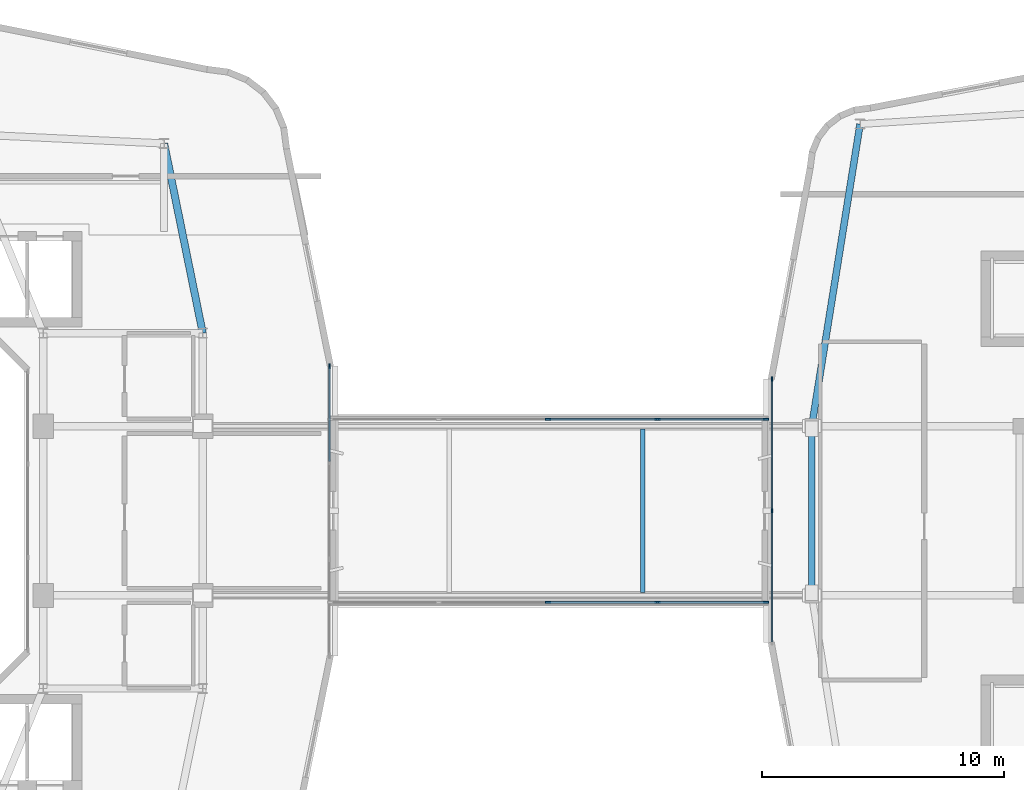
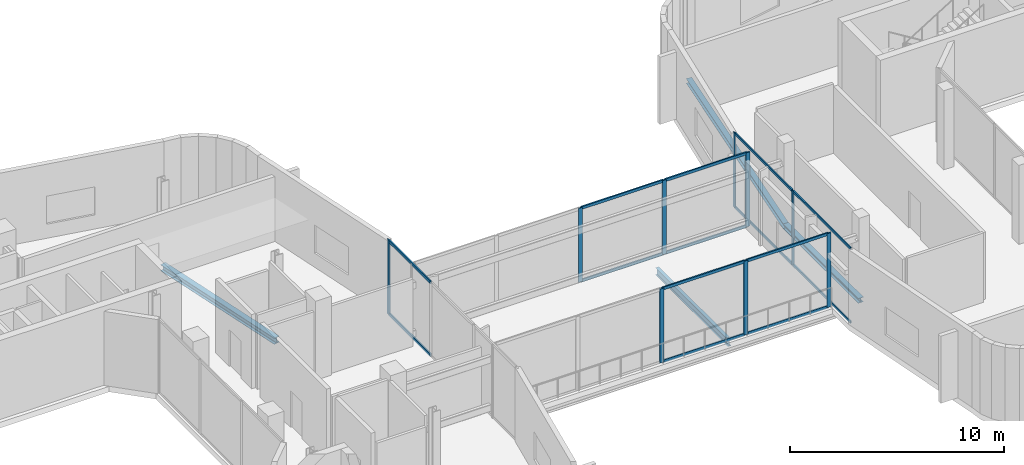
# One storey, part 7 of 24: 23 members, 4 beams, 4 elements without a shape of their own.
"""IFC4 building model written with IfcOpenShell, lengths in metres."""

from ifc_helpers import new_model, si_unit, derived_unit, direction, frame, origin, origin_2d, place, context, subcontext, project, spatial, rectangle, i_section, extrude, material, layer, layer_set, material_profile, profile_set, type_object, element, aggregate, save


model = new_model("IFC4")

# Units and contexts
model_context = context("Model", 3, precision=1e-05, world=origin(), true_north=direction((0.0, 1.0)))
body_context = subcontext(model_context, "Body", "Model", "MODEL_VIEW")
ifc_project = project(units=[si_unit("LENGTHUNIT", "METRE"), si_unit("AREAUNIT", "SQUARE_METRE"), si_unit("VOLUMEUNIT", "CUBIC_METRE"), si_unit("PLANEANGLEUNIT", "RADIAN"), si_unit("MASSUNIT", "GRAM", prefix="KILO"), derived_unit("THERMALTRANSMITTANCEUNIT", [(si_unit("POWERUNIT", "WATT"), 1), (si_unit("LENGTHUNIT", "METRE"), -2), (si_unit("THERMODYNAMICTEMPERATUREUNIT", "KELVIN"), -1)])], contexts=[model_context])

# Site, building, storey
site_placement = place(None, origin())
site = spatial("IfcSite", under=ifc_project, at=site_placement, CompositionType="ELEMENT")
building_placement = place(site_placement, origin())
building = spatial("IfcBuilding", under=site, at=building_placement, Name="Kivonza Crest Hotel", CompositionType="ELEMENT")
storey_placement = place(building_placement, frame((0.0, 0.0, 119.5)))
storey = spatial("IfcBuildingStorey", under=building, at=storey_placement, Name="L32", CompositionType="ELEMENT", Elevation=119.5)

# Beams
ifc_material_1 = material(Name="Steel S355", Category="steel")
ifc_material_profile_1 = material_profile(ifc_material_1, i_section(OverallWidth=0.280029296875, OverallDepth=0.280029296875, WebThickness=0.010498046875, FlangeThickness=0.01806640625, FilletRadius=0.02392578125, at=origin_2d()), Name="HEB 280")
ifc_profile_set_1 = profile_set([ifc_material_profile_1], Name="Steel S355")
beam_type_1 = type_object("IfcBeamType", Name="BM-HEB280", PredefinedType="SPANDREL", material=ifc_profile_set_1)
beam_1_placement = place(storey_placement, frame((63.0, 41.0, -0.4599609375), z_axis=(-0.157990501107, -0.987440631917, 0.0), x_axis=(0.987440631917, -0.157990501107, 0.0)))
element("IfcBeam", 1, at=beam_1_placement, inside=storey, type_object=beam_type_1, Name="Companion Tower T2 L32 perimeter spandrel NW-W2", PredefinedType="SPANDREL", context=body_context, shape_type="SweptSolid", body=[
    extrude(i_section(OverallWidth=0.280029296875, OverallDepth=0.280029296875, WebThickness=0.010498046875, FlangeThickness=0.01806640625, FilletRadius=0.02392578125, at=origin_2d()), origin(), (0.0, 0.0, 1.0), 12.658935546875),
])
beam_2_placement = place(storey_placement, frame((61.0, 28.5, -0.4599609375), z_axis=(0.0, -1.0, 0.0), x_axis=(1.0, 0.0, 0.0)))
element("IfcBeam", 2, at=beam_2_placement, inside=storey, type_object=beam_type_1, Name="Companion Tower T2 L32 perimeter spandrel W2-W1", PredefinedType="SPANDREL", context=body_context, shape_type="SweptSolid", body=[
    extrude(i_section(OverallWidth=0.280029296875, OverallDepth=0.280029296875, WebThickness=0.010498046875, FlangeThickness=0.01806640625, FilletRadius=0.02392578125, at=origin_2d()), origin(), (0.0, 0.0, 1.0), 7.0),
])
ifc_material_profile_2 = material_profile(ifc_material_1, i_section(OverallWidth=0.300048828125, OverallDepth=0.360107421875, WebThickness=0.012451171875, FlangeThickness=0.0224609375, FilletRadius=0.027099609375, at=origin_2d()), Name="HEB 360")
ifc_profile_set_2 = profile_set([ifc_material_profile_2], Name="Steel S355")
beam_type_2 = type_object("IfcBeamType", Name="BM-HEB360", PredefinedType="SPANDREL", material=ifc_profile_set_2)
beam_3_placement = place(storey_placement, frame((35.800048828125, 32.35009765625, -0.5), z_axis=(-0.199730733965, 0.979850822273, 0.0), x_axis=(-0.979850822273, -0.199730733965, 0.0)))
element("IfcBeam", 3, at=beam_3_placement, inside=storey, type_object=beam_type_2, Name="Tower T1 L32 perimeter spandrel PNE-NE", PredefinedType="SPANDREL", context=body_context, shape_type="SweptSolid", body=[
    extrude(i_section(OverallWidth=0.300048828125, OverallDepth=0.360107421875, WebThickness=0.012451171875, FlangeThickness=0.0224609375, FilletRadius=0.027099609375, at=origin_2d()), origin(), (0.0, 0.0, 1.0), 8.01123046875),
])
ifc_material_profile_3 = material_profile(ifc_material_1, i_section(OverallWidth=0.179931640625, OverallDepth=0.39990234375, WebThickness=0.008544921875, FlangeThickness=0.013427734375, FilletRadius=0.02099609375, at=origin_2d()), Name="IPE 400")
ifc_profile_set_3 = profile_set([ifc_material_profile_3], Name="Steel S355")
beam_type_3 = type_object("IfcBeamType", Name="BM-IPE400", PredefinedType="JOIST", material=ifc_profile_set_3)
beam_4_placement = place(storey_placement, frame((54.0, 21.6201171875, -0.5), z_axis=(0.0, 1.0, 0.0), x_axis=(-1.0, 0.0, 0.0)))
element("IfcBeam", 4, at=beam_4_placement, inside=storey, type_object=beam_type_3, Name="Skybridge BR1 cross floor beam 2", PredefinedType="JOIST", context=body_context, shape_type="SweptSolid", body=[
    extrude(i_section(OverallWidth=0.179931640625, OverallDepth=0.39990234375, WebThickness=0.008544921875, FlangeThickness=0.013427734375, FilletRadius=0.02099609375, at=origin_2d()), origin(), (0.0, 0.0, 1.0), 6.759765625),
])

# Curtain wall, members
ifc_material_2 = material(Name="Anodised bronze aluminium and low-E double glazing", Category="aluminium")
ifc_layer_1 = layer(ifc_material_2, 0.179931640625)
ifc_layer_set_1 = layer_set([ifc_layer_1], Name="Anodised bronze aluminium and low-E double glazing")
curtain_wall_type_1 = type_object("IfcCurtainWallType", Name="CW-SYS-4", PredefinedType="NOTDEFINED", material=ifc_layer_set_1)
curtain_wall_1_placement = place(storey_placement, origin())
curtain_wall_1 = element("IfcCurtainWall", 5, at=curtain_wall_1_placement, inside=storey, type_object=curtain_wall_type_1, Name="L32 unitised curtain wall CW-T2-L32-35", PredefinedType="NOTDEFINED")
ifc_material_3 = material(Name="Anodised bronze aluminium", Category="aluminium")
ifc_material_profile_4 = material_profile(ifc_material_3, rectangle(XDim=0.06494140625, YDim=0.179931640625, at=origin_2d()), Name="CW-M 65x180")
ifc_profile_set_4 = profile_set([ifc_material_profile_4], Name="Anodised bronze aluminium")
member_type_1 = type_object("IfcMemberType", Name="CW-MUL-65x180", PredefinedType="MULLION", material=ifc_profile_set_4)
member_1_placement = place(storey_placement, frame((59.360107421875, 30.447509765625, 0.0), z_axis=(0.0, 0.0, 1.0), x_axis=(1.0, 0.0, 0.0)))
member_1 = element("IfcMember", 6, at=member_1_placement, type_object=member_type_1, Name="CW-4 mullion 1", PredefinedType="MULLION", context=body_context, shape_type="SweptSolid", body=[
    extrude(rectangle(XDim=0.06494140625, YDim=0.179931640625, at=origin_2d()), origin(), (0.0, 0.0, 1.0), 4.25),
])
member_2_placement = place(storey_placement, frame((59.360107421875, 25.0, 0.0), z_axis=(0.0, 0.0, 1.0), x_axis=(1.0, 0.0, 0.0)))
member_2 = element("IfcMember", 7, at=member_2_placement, type_object=member_type_1, Name="CW-4 mullion 2", PredefinedType="MULLION", context=body_context, shape_type="SweptSolid", body=[
    extrude(rectangle(XDim=0.06494140625, YDim=0.179931640625, at=origin_2d()), origin(), (0.0, 0.0, 1.0), 4.25),
])

# Curtain wall, member
ifc_layer_2 = layer(ifc_material_2, 0.179931640625)
ifc_layer_set_2 = layer_set([ifc_layer_2], Name="Anodised bronze aluminium and low-E double glazing")
curtain_wall_type_2 = type_object("IfcCurtainWallType", Name="CW-SYS-3", PredefinedType="NOTDEFINED", material=ifc_layer_set_2)
curtain_wall_2_placement = place(storey_placement, origin())
curtain_wall_2 = element("IfcCurtainWall", 8, at=curtain_wall_2_placement, inside=storey, type_object=curtain_wall_type_2, Name="L32 unitised curtain wall CW-T1-L32-17", PredefinedType="NOTDEFINED")
ifc_material_profile_5 = material_profile(ifc_material_3, rectangle(XDim=0.074951171875, YDim=0.219970703125, at=origin_2d()), Name="CW-M 75x220")
ifc_profile_set_5 = profile_set([ifc_material_profile_5], Name="Anodised bronze aluminium")
member_type_2 = type_object("IfcMemberType", Name="CW-MUL-75x220", PredefinedType="MULLION", material=ifc_profile_set_5)
member_3_placement = place(storey_placement, frame((41.0400390625, 30.982421875, 0.0), z_axis=(0.0, 0.0, 1.0), x_axis=(-1.0, 0.0, 0.0)))
member_3 = element("IfcMember", 9, at=member_3_placement, type_object=member_type_2, Name="CW-3 mullion 4", PredefinedType="MULLION", context=body_context, shape_type="SweptSolid", body=[
    extrude(rectangle(XDim=0.074951171875, YDim=0.219970703125, at=origin_2d()), origin(), (0.0, 0.0, 1.0), 4.219970703125),
])

# Curtain wall, members
ifc_layer_3 = layer(ifc_material_2, 0.199951171875)
ifc_layer_set_3 = layer_set([ifc_layer_3], Name="Anodised bronze aluminium and low-E double glazing")
curtain_wall_type_3 = type_object("IfcCurtainWallType", Name="CW-SYS-6", PredefinedType="NOTDEFINED", material=ifc_layer_set_3)
curtain_wall_3_placement = place(storey_placement, origin())
curtain_wall_3 = element("IfcCurtainWall", 10, at=curtain_wall_3_placement, inside=storey, type_object=curtain_wall_type_3, Name="L32 unitised curtain wall CW-BR1-L32-S", PredefinedType="NOTDEFINED")
member_4_placement = place(storey_placement, frame((50.090087890625, 21.2099609375, 0.0), z_axis=(0.0, 0.0, 1.0), x_axis=(0.0, 1.0, 0.0)))
member_4 = element("IfcMember", 11, at=member_4_placement, type_object=member_type_2, Name="CW-6 mullion 3", PredefinedType="MULLION", context=body_context, shape_type="SweptSolid", body=[
    extrude(rectangle(XDim=0.074951171875, YDim=0.219970703125, at=origin_2d()), origin(), (0.0, 0.0, 1.0), 4.219970703125),
])
member_5_placement = place(storey_placement, frame((54.614990234375, 21.2099609375, 0.0), z_axis=(0.0, 0.0, 1.0), x_axis=(0.0, 1.0, 0.0)))
member_5 = element("IfcMember", 12, at=member_5_placement, type_object=member_type_2, Name="CW-6 mullion 4", PredefinedType="MULLION", context=body_context, shape_type="SweptSolid", body=[
    extrude(rectangle(XDim=0.074951171875, YDim=0.219970703125, at=origin_2d()), origin(), (0.0, 0.0, 1.0), 4.219970703125),
])
member_6_placement = place(storey_placement, frame((59.1025390625, 21.2099609375, 0.0), z_axis=(0.0, 0.0, 1.0), x_axis=(0.0, 1.0, 0.0)))
member_6 = element("IfcMember", 13, at=member_6_placement, type_object=member_type_2, Name="CW-6 mullion 5", PredefinedType="MULLION", context=body_context, shape_type="SweptSolid", body=[
    extrude(rectangle(XDim=0.074951171875, YDim=0.219970703125, at=origin_2d()), origin(), (0.0, 0.0, 1.0), 4.219970703125),
])

curtain_wall_4_placement = place(storey_placement, origin())
curtain_wall_4 = element("IfcCurtainWall", 14, at=curtain_wall_4_placement, inside=storey, type_object=curtain_wall_type_3, Name="L32 unitised curtain wall CW-BR1-L32-N", PredefinedType="NOTDEFINED")
member_7_placement = place(storey_placement, frame((59.1025390625, 28.7900390625, 0.0), z_axis=(0.0, 0.0, 1.0), x_axis=(0.0, -1.0, 0.0)))
member_7 = element("IfcMember", 15, at=member_7_placement, type_object=member_type_2, Name="CW-6 mullion 1", PredefinedType="MULLION", context=body_context, shape_type="SweptSolid", body=[
    extrude(rectangle(XDim=0.074951171875, YDim=0.219970703125, at=origin_2d()), origin(), (0.0, 0.0, 1.0), 4.219970703125),
])
member_8_placement = place(storey_placement, frame((54.614990234375, 28.7900390625, 0.0), z_axis=(0.0, 0.0, 1.0), x_axis=(0.0, -1.0, 0.0)))
member_8 = element("IfcMember", 16, at=member_8_placement, type_object=member_type_2, Name="CW-6 mullion 2", PredefinedType="MULLION", context=body_context, shape_type="SweptSolid", body=[
    extrude(rectangle(XDim=0.074951171875, YDim=0.219970703125, at=origin_2d()), origin(), (0.0, 0.0, 1.0), 4.219970703125),
])
member_9_placement = place(storey_placement, frame((50.090087890625, 28.7900390625, 0.0), z_axis=(0.0, 0.0, 1.0), x_axis=(0.0, -1.0, 0.0)))
member_9 = element("IfcMember", 17, at=member_9_placement, type_object=member_type_2, Name="CW-6 mullion 3", PredefinedType="MULLION", context=body_context, shape_type="SweptSolid", body=[
    extrude(rectangle(XDim=0.074951171875, YDim=0.219970703125, at=origin_2d()), origin(), (0.0, 0.0, 1.0), 4.219970703125),
])

# Member
ifc_material_profile_6 = material_profile(ifc_material_3, rectangle(XDim=0.06494140625, YDim=0.139892578125, at=origin_2d()), Name="CW-T 65x140")
ifc_profile_set_6 = profile_set([ifc_material_profile_6], Name="Anodised bronze aluminium")
member_type_3 = type_object("IfcMemberType", Name="CW-TRN-65x140", PredefinedType="USERDEFINED", material=ifc_profile_set_6)
member_10_placement = place(storey_placement, frame((59.360107421875, 30.4150390625, 0.032470703125), z_axis=(0.0, -1.0, 0.0), x_axis=(1.0, 0.0, 0.0)))
member_10 = element("IfcMember", 18, at=member_10_placement, type_object=member_type_3, Name="CW-4 transom 1.1", ObjectType="TRANSOM", PredefinedType="USERDEFINED", context=body_context, shape_type="SweptSolid", body=[
    extrude(rectangle(XDim=0.06494140625, YDim=0.139892578125, at=origin_2d()), origin(), (0.0, 0.0, 1.0), 5.382568359375),
])

member_11_placement = place(storey_placement, frame((59.360107421875, 30.4150390625, 4.217529296875), z_axis=(0.0, -1.0, 0.0), x_axis=(1.0, 0.0, 0.0)))
member_11 = element("IfcMember", 19, at=member_11_placement, type_object=member_type_3, Name="CW-4 transom 1.2", ObjectType="TRANSOM", PredefinedType="USERDEFINED", context=body_context, shape_type="SweptSolid", body=[
    extrude(rectangle(XDim=0.06494140625, YDim=0.139892578125, at=origin_2d()), origin(), (0.0, 0.0, 1.0), 5.382568359375),
])

member_12_placement = place(storey_placement, frame((59.360107421875, 24.967529296875, 0.032470703125), z_axis=(0.0, -1.0, 0.0), x_axis=(1.0, 0.0, 0.0)))
member_12 = element("IfcMember", 20, at=member_12_placement, type_object=member_type_3, Name="CW-4 transom 2.1", ObjectType="TRANSOM", PredefinedType="USERDEFINED", context=body_context, shape_type="SweptSolid", body=[
    extrude(rectangle(XDim=0.06494140625, YDim=0.139892578125, at=origin_2d()), origin(), (0.0, 0.0, 1.0), 5.382568359375),
])

member_13_placement = place(storey_placement, frame((59.360107421875, 24.967529296875, 4.217529296875), z_axis=(0.0, -1.0, 0.0), x_axis=(1.0, 0.0, 0.0)))
member_13 = element("IfcMember", 21, at=member_13_placement, type_object=member_type_3, Name="CW-4 transom 2.2", ObjectType="TRANSOM", PredefinedType="USERDEFINED", context=body_context, shape_type="SweptSolid", body=[
    extrude(rectangle(XDim=0.06494140625, YDim=0.139892578125, at=origin_2d()), origin(), (0.0, 0.0, 1.0), 5.382568359375),
])

aggregate(curtain_wall_1, [member_1, member_2, member_10, member_11, member_12, member_13])

ifc_material_profile_7 = material_profile(ifc_material_3, rectangle(XDim=0.074951171875, YDim=0.159912109375, at=origin_2d()), Name="CW-T 75x160")
ifc_profile_set_7 = profile_set([ifc_material_profile_7], Name="Anodised bronze aluminium")
member_type_4 = type_object("IfcMemberType", Name="CW-TRN-75x160", PredefinedType="USERDEFINED", material=ifc_profile_set_7)
member_14_placement = place(storey_placement, frame((41.0400390625, 27.044189453125, 0.03759765625), z_axis=(0.0, 1.0, 0.0), x_axis=(-1.0, 0.0, 0.0)))
member_14 = element("IfcMember", 22, at=member_14_placement, type_object=member_type_4, Name="CW-3 transom 3.1", ObjectType="TRANSOM", PredefinedType="USERDEFINED", context=body_context, shape_type="SweptSolid", body=[
    extrude(rectangle(XDim=0.074951171875, YDim=0.159912109375, at=origin_2d()), origin(), (0.0, 0.0, 1.0), 3.90087890625),
])

member_15_placement = place(storey_placement, frame((41.0400390625, 27.044189453125, 4.1826171875), z_axis=(0.0, 1.0, 0.0), x_axis=(-1.0, 0.0, 0.0)))
member_15 = element("IfcMember", 23, at=member_15_placement, type_object=member_type_4, Name="CW-3 transom 3.2", ObjectType="TRANSOM", PredefinedType="USERDEFINED", context=body_context, shape_type="SweptSolid", body=[
    extrude(rectangle(XDim=0.074951171875, YDim=0.159912109375, at=origin_2d()), origin(), (0.0, 0.0, 1.0), 3.90087890625),
])

aggregate(curtain_wall_2, [member_3, member_14, member_15])

member_16_placement = place(storey_placement, frame((50.12744140625, 21.2099609375, 0.03759765625), z_axis=(1.0, 0.0, 0.0), x_axis=(0.0, 1.0, 0.0)))
member_16 = element("IfcMember", 24, at=member_16_placement, type_object=member_type_4, Name="CW-6 transom 3.1", ObjectType="TRANSOM", PredefinedType="USERDEFINED", context=body_context, shape_type="SweptSolid", body=[
    extrude(rectangle(XDim=0.074951171875, YDim=0.159912109375, at=origin_2d()), origin(), (0.0, 0.0, 1.0), 4.449951171875),
])

member_17_placement = place(storey_placement, frame((50.12744140625, 21.2099609375, 4.1826171875), z_axis=(1.0, 0.0, 0.0), x_axis=(0.0, 1.0, 0.0)))
member_17 = element("IfcMember", 25, at=member_17_placement, type_object=member_type_4, Name="CW-6 transom 3.2", ObjectType="TRANSOM", PredefinedType="USERDEFINED", context=body_context, shape_type="SweptSolid", body=[
    extrude(rectangle(XDim=0.074951171875, YDim=0.159912109375, at=origin_2d()), origin(), (0.0, 0.0, 1.0), 4.449951171875),
])

member_18_placement = place(storey_placement, frame((54.652587890625, 21.2099609375, 0.03759765625), z_axis=(1.0, 0.0, 0.0), x_axis=(0.0, 1.0, 0.0)))
member_18 = element("IfcMember", 26, at=member_18_placement, type_object=member_type_4, Name="CW-6 transom 4.1", ObjectType="TRANSOM", PredefinedType="USERDEFINED", context=body_context, shape_type="SweptSolid", body=[
    extrude(rectangle(XDim=0.074951171875, YDim=0.159912109375, at=origin_2d()), origin(), (0.0, 0.0, 1.0), 4.412353515625),
])

member_19_placement = place(storey_placement, frame((54.652587890625, 21.2099609375, 4.1826171875), z_axis=(1.0, 0.0, 0.0), x_axis=(0.0, 1.0, 0.0)))
member_19 = element("IfcMember", 27, at=member_19_placement, type_object=member_type_4, Name="CW-6 transom 4.2", ObjectType="TRANSOM", PredefinedType="USERDEFINED", context=body_context, shape_type="SweptSolid", body=[
    extrude(rectangle(XDim=0.074951171875, YDim=0.159912109375, at=origin_2d()), origin(), (0.0, 0.0, 1.0), 4.412353515625),
])

aggregate(curtain_wall_3, [member_4, member_5, member_6, member_16, member_17, member_18, member_19])

member_20_placement = place(storey_placement, frame((59.06494140625, 28.7900390625, 0.03759765625), z_axis=(-1.0, 0.0, 0.0), x_axis=(0.0, -1.0, 0.0)))
member_20 = element("IfcMember", 28, at=member_20_placement, type_object=member_type_4, Name="CW-6 transom 1.1", ObjectType="TRANSOM", PredefinedType="USERDEFINED", context=body_context, shape_type="SweptSolid", body=[
    extrude(rectangle(XDim=0.074951171875, YDim=0.159912109375, at=origin_2d()), origin(), (0.0, 0.0, 1.0), 4.412353515625),
])

member_21_placement = place(storey_placement, frame((59.06494140625, 28.7900390625, 4.1826171875), z_axis=(-1.0, 0.0, 0.0), x_axis=(0.0, -1.0, 0.0)))
member_21 = element("IfcMember", 29, at=member_21_placement, type_object=member_type_4, Name="CW-6 transom 1.2", ObjectType="TRANSOM", PredefinedType="USERDEFINED", context=body_context, shape_type="SweptSolid", body=[
    extrude(rectangle(XDim=0.074951171875, YDim=0.159912109375, at=origin_2d()), origin(), (0.0, 0.0, 1.0), 4.412353515625),
])

member_22_placement = place(storey_placement, frame((54.577392578125, 28.7900390625, 0.03759765625), z_axis=(-1.0, 0.0, 0.0), x_axis=(0.0, -1.0, 0.0)))
member_22 = element("IfcMember", 30, at=member_22_placement, type_object=member_type_4, Name="CW-6 transom 2.1", ObjectType="TRANSOM", PredefinedType="USERDEFINED", context=body_context, shape_type="SweptSolid", body=[
    extrude(rectangle(XDim=0.074951171875, YDim=0.159912109375, at=origin_2d()), origin(), (0.0, 0.0, 1.0), 4.449951171875),
])

member_23_placement = place(storey_placement, frame((54.577392578125, 28.7900390625, 4.1826171875), z_axis=(-1.0, 0.0, 0.0), x_axis=(0.0, -1.0, 0.0)))
member_23 = element("IfcMember", 31, at=member_23_placement, type_object=member_type_4, Name="CW-6 transom 2.2", ObjectType="TRANSOM", PredefinedType="USERDEFINED", context=body_context, shape_type="SweptSolid", body=[
    extrude(rectangle(XDim=0.074951171875, YDim=0.159912109375, at=origin_2d()), origin(), (0.0, 0.0, 1.0), 4.449951171875),
])

aggregate(curtain_wall_4, [member_7, member_8, member_9, member_20, member_21, member_22, member_23])

save(model, "model.ifc")
